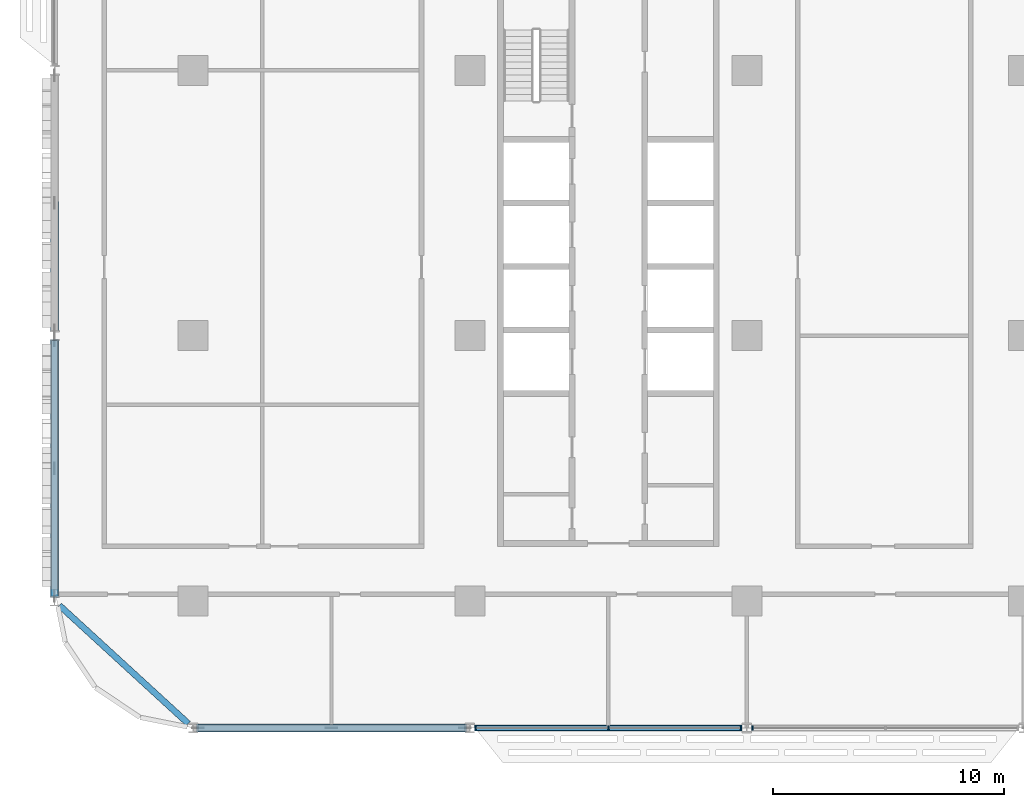
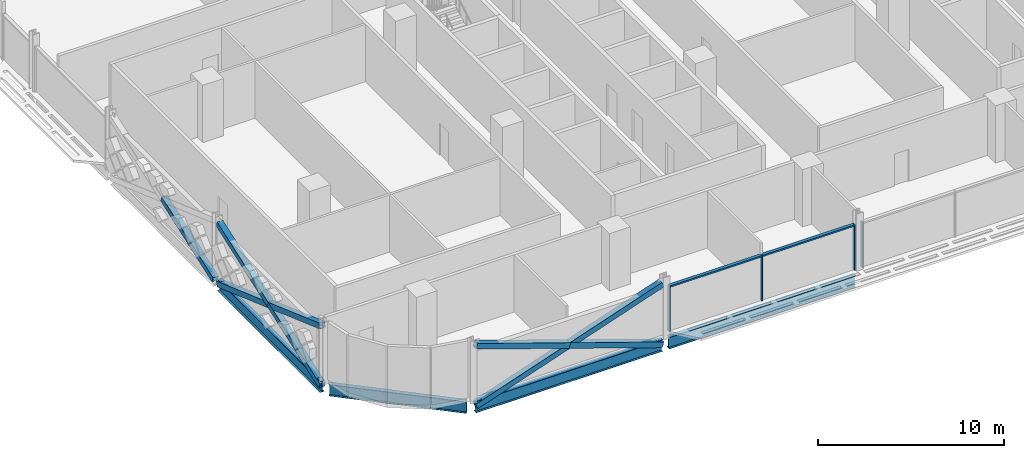
# One storey, part 3 of 29: 13 members, 4 beams, 2 elements without a shape of their own.
"""IFC4 building model written with IfcOpenShell, lengths in metres."""

from ifc_helpers import new_model, si_unit, direction, frame, origin, origin_2d, place, context, subcontext, project, spatial, rectangle, hollow_rectangle, i_section, extrude, material, material_profile, profile_set, type_object, element, aggregate, save


model = new_model("IFC4")

# Units and contexts
model_context = context("Model", 3, precision=1e-05, world=origin(), true_north=direction((0.0, 1.0)))
body_context = subcontext(model_context, "Body", "Model", "MODEL_VIEW")
ifc_project = project(units=[si_unit("LENGTHUNIT", "METRE"), si_unit("AREAUNIT", "SQUARE_METRE"), si_unit("VOLUMEUNIT", "CUBIC_METRE"), si_unit("PLANEANGLEUNIT", "RADIAN"), si_unit("MASSUNIT", "GRAM", prefix="KILO")], contexts=[model_context])

# Site, building, storey
site_placement = place(None, origin())
site = spatial("IfcSite", under=ifc_project, at=site_placement, CompositionType="ELEMENT")
building_placement = place(site_placement, origin())
building = spatial("IfcBuilding", under=site, at=building_placement, Name="Mahtab Terrace Research Tower", CompositionType="ELEMENT")
storey_placement = place(building_placement, frame((0.0, 0.0, 126.10009765625)))
storey = spatial("IfcBuildingStorey", under=building, at=storey_placement, Name="L29", CompositionType="ELEMENT", Elevation=126.10009765625)

# Members
ifc_material_1 = material(Name="Steel ASTM A500 Gr C", Category="steel")
ifc_material_profile_1 = material_profile(ifc_material_1, hollow_rectangle(XDim=0.355712890625, YDim=0.355712890625, WallThickness=0.01904296875, at=origin_2d()), Name="HSS14X14X3/4")
ifc_profile_set_1 = profile_set([ifc_material_profile_1], Name="Steel ASTM A500 Gr C")
member_type_1 = type_object("IfcMemberType", Name="HSS 14x14x3/4 brace XB141434", PredefinedType="BRACE", material=ifc_profile_set_1)
member_1_placement = place(storey_placement, frame((-48.0, 0.217041015625, -0.64111328125), z_axis=(0.0, 0.941925134484, 0.335822931061), x_axis=(-1.0, 0.0, 0.0)))
element("IfcMember", 1, at=member_1_placement, inside=storey, type_object=member_type_1, Name="Exoskeleton brace L29 11 b1", PredefinedType="BRACE", context=body_context, shape_type="SweptSolid", body=[
    extrude(hollow_rectangle(XDim=0.355712890625, YDim=0.355712890625, WallThickness=0.01904296875, at=origin_2d()), origin(), (0.0, 0.0, 1.0), 5.8740234375),
])
member_2_placement = place(storey_placement, frame((-48.0, -0.217041015625, -0.64111328125), z_axis=(0.0, -0.941931707836, 0.335804493379), x_axis=(1.0, 0.0, 0.0)))
element("IfcMember", 2, at=member_2_placement, inside=storey, type_object=member_type_1, Name="Exoskeleton brace L29 12 a", PredefinedType="BRACE", context=body_context, shape_type="SweptSolid", body=[
    extrude(hollow_rectangle(XDim=0.355712890625, YDim=0.355712890625, WallThickness=0.01904296875, at=origin_2d()), origin(), (0.0, 0.0, 1.0), 11.748046875),
])
for number, where, z_axis, x_axis, name in (
    (3, (-48.0, -11.282958984375, -0.64111328125), (0.0, 0.941925134484, 0.335822931061), (-1.0, 0.0, 0.0), "Exoskeleton brace L29 12 b1"),
    (4, (-48.0, -5.75, 1.33154296875), (0.0, 0.941938280918, 0.335786055312), (-1.0, 0.0, 0.0), "Exoskeleton brace L29 12 b2"),
):
    element("IfcMember", number, at=place(storey_placement, frame(where, z_axis=z_axis, x_axis=x_axis)), inside=storey, type_object=member_type_1, Name=name, PredefinedType="BRACE", context=body_context, shape_type="SweptSolid", body=[
        extrude(hollow_rectangle(XDim=0.355712890625, YDim=0.355712890625, WallThickness=0.01904296875, at=origin_2d()), origin(), (0.0, 0.0, 1.0), 5.8740234375),
    ])
member_3_placement = place(storey_placement, frame((-41.794189453125, -17.0, -0.648193359375), z_axis=(0.946294377485, 0.0, 0.323306280699), x_axis=(0.0, 1.0, 0.0)))
element("IfcMember", 5, at=member_3_placement, inside=storey, type_object=member_type_1, Name="Exoskeleton brace L29 14 a", PredefinedType="BRACE", context=body_context, shape_type="SweptSolid", body=[
    extrude(hollow_rectangle(XDim=0.355712890625, YDim=0.355712890625, WallThickness=0.01904296875, at=origin_2d()), origin(), (0.0, 0.0, 1.0), 12.24609375),
])
for number, where, z_axis, x_axis, name in (
    (6, (-30.205810546875, -17.0, -0.648193359375), (-0.946288278, 0.0, 0.323324132908), (0.0, -1.0, 0.0), "Exoskeleton brace L29 14 b1"),
    (7, (-36.0, -17.0, 1.33154296875), (-0.946300476713, 0.0, 0.323288428146), (0.0, -1.0, 0.0), "Exoskeleton brace L29 14 b2"),
):
    element("IfcMember", number, at=place(storey_placement, frame(where, z_axis=z_axis, x_axis=x_axis)), inside=storey, type_object=member_type_1, Name=name, PredefinedType="BRACE", context=body_context, shape_type="SweptSolid", body=[
        extrude(hollow_rectangle(XDim=0.355712890625, YDim=0.355712890625, WallThickness=0.01904296875, at=origin_2d()), origin(), (0.0, 0.0, 1.0), 6.123046875),
    ])

# Curtain wall, members
ifc_material_2 = material(Name="Laboratory ribbon curtain wall")
curtain_wall_type = type_object("IfcCurtainWallType", Name="Laboratory ribbon curtain wall", PredefinedType="NOTDEFINED", material=ifc_material_2)
curtain_wall_1_placement = place(storey_placement, origin())
curtain_wall_1 = element("IfcCurtainWall", 8, at=curtain_wall_1_placement, inside=storey, type_object=curtain_wall_type, Name="EN.L29.13.25", PredefinedType="NOTDEFINED")
ifc_material_3 = material(Name="Natural anodised aluminium", Category="aluminium")
ifc_material_profile_2 = material_profile(ifc_material_3, rectangle(XDim=0.199951171875, YDim=0.06494140625, at=origin_2d()), Name="MULLION 65x200")
ifc_profile_set_2 = profile_set([ifc_material_profile_2], Name="Natural anodised aluminium")
member_type_2 = type_object("IfcMemberType", Name="Laboratory ribbon curtain wall mullion", PredefinedType="MULLION", material=ifc_profile_set_2)
member_4_placement = place(storey_placement, frame((-29.74951171875, -17.0, 0.0), z_axis=(0.0, 0.0, 1.0), x_axis=(0.0, 1.0, 0.0)))
member_4 = element("IfcMember", 9, at=member_4_placement, type_object=member_type_2, Name="CWL-4 mullion 1", PredefinedType="MULLION", context=body_context, shape_type="SweptSolid", body=[
    extrude(rectangle(XDim=0.199951171875, YDim=0.06494140625, at=origin_2d()), origin(), (0.0, 0.0, 1.0), 3.0029296875),
])
member_5_placement = place(storey_placement, frame((-24.0, -17.0, 0.0), z_axis=(0.0, 0.0, 1.0), x_axis=(0.0, 1.0, 0.0)))
member_5 = element("IfcMember", 10, at=member_5_placement, type_object=member_type_2, Name="CWL-4 mullion 2", PredefinedType="MULLION", context=body_context, shape_type="SweptSolid", body=[
    extrude(rectangle(XDim=0.199951171875, YDim=0.06494140625, at=origin_2d()), origin(), (0.0, 0.0, 1.0), 3.0029296875),
])
member_6_placement = place(storey_placement, frame((-18.25048828125, -17.0, 0.0), z_axis=(0.0, 0.0, 1.0), x_axis=(0.0, 1.0, 0.0)))
member_6 = element("IfcMember", 11, at=member_6_placement, type_object=member_type_2, Name="CWL-4 mullion 3", PredefinedType="MULLION", context=body_context, shape_type="SweptSolid", body=[
    extrude(rectangle(XDim=0.199951171875, YDim=0.06494140625, at=origin_2d()), origin(), (0.0, 0.0, 1.0), 3.0029296875),
])

# Curtain wall, member
curtain_wall_2_placement = place(storey_placement, origin())
curtain_wall_2 = element("IfcCurtainWall", 12, at=curtain_wall_2_placement, inside=storey, type_object=curtain_wall_type, Name="EN.L29.13.26", PredefinedType="NOTDEFINED")
member_7_placement = place(storey_placement, frame((-17.74951171875, -17.0, 0.0), z_axis=(0.0, 0.0, 1.0), x_axis=(0.0, 1.0, 0.0)))
member_7 = element("IfcMember", 13, at=member_7_placement, type_object=member_type_2, Name="CWL-4 mullion 1", PredefinedType="MULLION", context=body_context, shape_type="SweptSolid", body=[
    extrude(rectangle(XDim=0.199951171875, YDim=0.06494140625, at=origin_2d()), origin(), (0.0, 0.0, 1.0), 3.0029296875),
])
aggregate(curtain_wall_2, [member_7])

# Member
ifc_material_profile_3 = material_profile(ifc_material_3, rectangle(XDim=0.199951171875, YDim=0.10009765625, at=origin_2d()), Name="TRANSOM 100x200")
ifc_profile_set_3 = profile_set([ifc_material_profile_3], Name="Natural anodised aluminium")
member_type_3 = type_object("IfcMemberType", Name="Laboratory ribbon curtain wall transom", PredefinedType="USERDEFINED", material=ifc_profile_set_3)
member_8_placement = place(storey_placement, frame((-29.717041015625, -17.0, 2.952880859375), z_axis=(1.0, 0.0, 0.0), x_axis=(0.0, 1.0, 0.0)))
member_8 = element("IfcMember", 14, at=member_8_placement, type_object=member_type_3, Name="CWL-4 transom 1", ObjectType="TRANSOM", PredefinedType="USERDEFINED", context=body_context, shape_type="SweptSolid", body=[
    extrude(rectangle(XDim=0.199951171875, YDim=0.10009765625, at=origin_2d()), origin(), (0.0, 0.0, 1.0), 5.6845703125),
])

member_9_placement = place(storey_placement, frame((-23.967529296875, -17.0, 2.952880859375), z_axis=(1.0, 0.0, 0.0), x_axis=(0.0, 1.0, 0.0)))
member_9 = element("IfcMember", 15, at=member_9_placement, type_object=member_type_3, Name="CWL-4 transom 2", ObjectType="TRANSOM", PredefinedType="USERDEFINED", context=body_context, shape_type="SweptSolid", body=[
    extrude(rectangle(XDim=0.199951171875, YDim=0.10009765625, at=origin_2d()), origin(), (0.0, 0.0, 1.0), 5.6845703125),
])

aggregate(curtain_wall_1, [member_4, member_5, member_6, member_8, member_9])

# Beams
ifc_material_4 = material(Name="Steel ASTM A992 Gr 50", Category="steel")
ifc_material_profile_4 = material_profile(ifc_material_4, i_section(OverallWidth=0.2666015625, OverallDepth=0.7568359375, WebThickness=0.013916015625, FlangeThickness=0.019287109375, at=origin_2d()), Name="W30X108")
ifc_profile_set_4 = profile_set([ifc_material_profile_4], Name="Steel ASTM A992 Gr 50")
beam_type = type_object("IfcBeamType", Name="W30x108 beam BS30108", PredefinedType="BEAM", material=ifc_profile_set_4)
beam_1_placement = place(storey_placement, frame((-48.0, -0.217041015625, -0.718505859375), z_axis=(0.0, -1.0, 0.0), x_axis=(1.0, 0.0, 0.0)))
element("IfcBeam", 16, at=beam_1_placement, inside=storey, type_object=beam_type, Name="Spandrel beam L29 12", PredefinedType="BEAM", context=body_context, shape_type="SweptSolid", body=[
    extrude(i_section(OverallWidth=0.2666015625, OverallDepth=0.7568359375, WebThickness=0.013916015625, FlangeThickness=0.019287109375, at=origin_2d()), origin(), (0.0, 0.0, 1.0), 11.06591796875),
])
beam_2_placement = place(storey_placement, frame((-47.794189453125, -11.688720703125, -0.718505859375), z_axis=(0.737162160905, -0.675715878554, 0.0), x_axis=(0.675715878554, 0.737162160905, 0.0)))
element("IfcBeam", 17, at=beam_2_placement, inside=storey, type_object=beam_type, Name="Spandrel beam L29 13", PredefinedType="BEAM", context=body_context, shape_type="SweptSolid", body=[
    extrude(i_section(OverallWidth=0.2666015625, OverallDepth=0.7568359375, WebThickness=0.013916015625, FlangeThickness=0.019287109375, at=origin_2d()), origin(), (0.0, 0.0, 1.0), 7.5810546875),
])
for number, where, z_axis, x_axis, name in (
    (18, (-41.794189453125, -17.0, -0.718505859375), (1.0, 0.0, 0.0), (0.0, 1.0, 0.0), "Spandrel beam L29 14"),
    (19, (-29.794189453125, -17.0, -0.718505859375), (1.0, 0.0, 0.0), (0.0, 1.0, 0.0), "Spandrel beam L29 15"),
):
    element("IfcBeam", number, at=place(storey_placement, frame(where, z_axis=z_axis, x_axis=x_axis)), inside=storey, type_object=beam_type, Name=name, PredefinedType="BEAM", context=body_context, shape_type="SweptSolid", body=[
        extrude(i_section(OverallWidth=0.2666015625, OverallDepth=0.7568359375, WebThickness=0.013916015625, FlangeThickness=0.019287109375, at=origin_2d()), origin(), (0.0, 0.0, 1.0), 11.58837890625),
    ])

save(model, "model.ifc")
